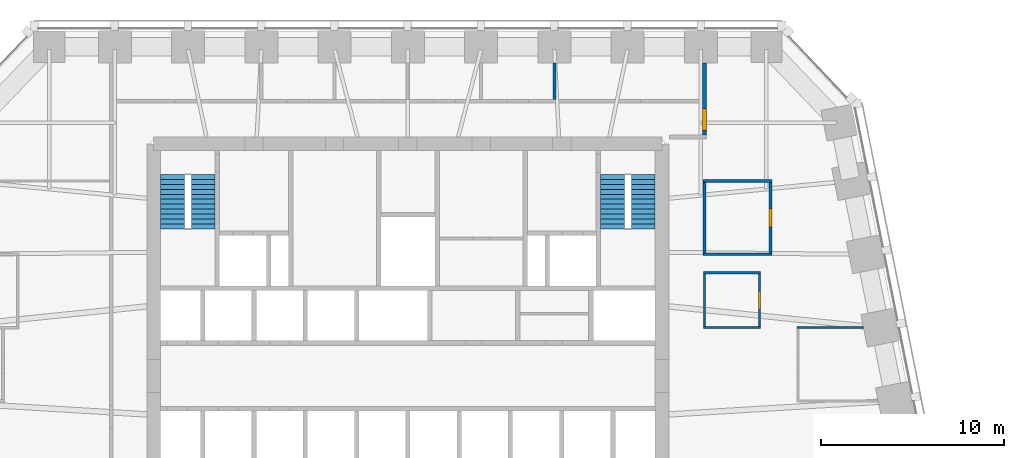
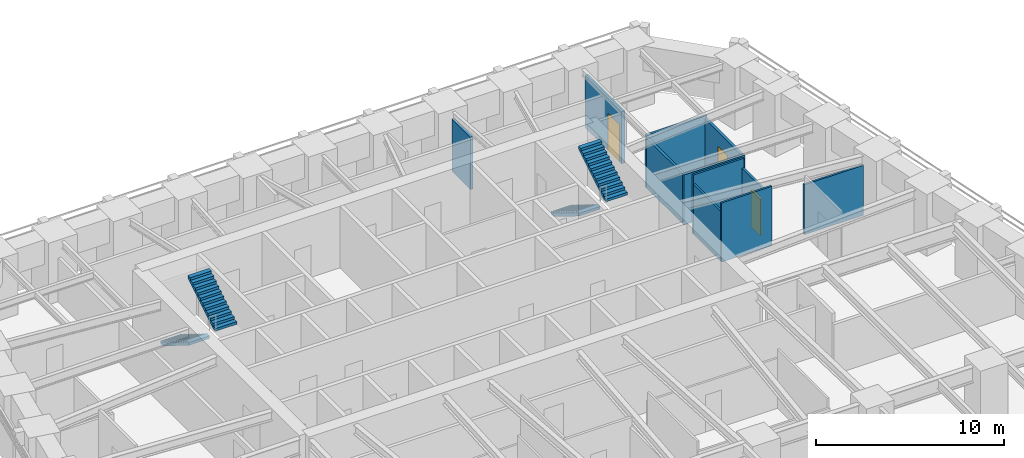
# One storey, part 8 of 10: 11 walls, 4 stair flights, 3 doors, 3 openings, 2 elements without a shape of their own.
"""IFC4 building model written with IfcOpenShell, lengths in metres."""

from ifc_helpers import new_model, si_unit, direction, frame, frame_2d, origin, place, context, subcontext, project, spatial, polyline, rectangle, outline, extrude, material, layer, layer_set, type_object, element, fill, aggregate, save


model = new_model("IFC4")

# Units and contexts
model_context = context("Model", 3, precision=1e-05, world=origin(), true_north=direction((0.0, 1.0)))
body_context = subcontext(model_context, "Body", "Model", "MODEL_VIEW")
ifc_project = project(units=[si_unit("LENGTHUNIT", "METRE"), si_unit("AREAUNIT", "SQUARE_METRE"), si_unit("VOLUMEUNIT", "CUBIC_METRE"), si_unit("PLANEANGLEUNIT", "RADIAN"), si_unit("MASSUNIT", "GRAM", prefix="KILO")], contexts=[model_context])

# Site, building, storey
site_placement = place(None, origin())
site = spatial("IfcSite", under=ifc_project, at=site_placement, CompositionType="ELEMENT")
building_placement = place(site_placement, origin())
building = spatial("IfcBuilding", under=site, at=building_placement, Name="Isbrekke Arena Tower", CompositionType="ELEMENT")
storey_placement = place(building_placement, frame((0.0, 0.0, 119.0)))
storey = spatial("IfcBuildingStorey", under=building, at=storey_placement, Name="L26", CompositionType="ELEMENT", Elevation=119.0)

# Walls
ifc_material_1 = material(Name="Gypsum board partition on steel studs", Category="steel")
ifc_layer_1 = layer(ifc_material_1, 0.14990234375)
ifc_layer_set_1 = layer_set([ifc_layer_1], Name="IW1 PARTITION 150")
wall_type_1 = type_object("IfcWallType", Name="IW1 PARTITION 150", PredefinedType="PARTITIONING", material=ifc_layer_set_1)
wall_1_placement = place(storey_placement, frame((16.125, 17.840087890625, 0.0), z_axis=(0.0, 0.0, 1.0), x_axis=(1.0, 0.0, 0.0)))
element("IfcWall", 1, at=wall_1_placement, inside=storey, type_object=wall_type_1, Name="IW1 partition 150 L26", PredefinedType="PARTITIONING", context=body_context, shape_type="SweptSolid", body=[
    extrude(rectangle(XDim=3.75, YDim=0.14990234375, at=frame_2d((1.875, 0.0))), origin(), (0.0, 0.0, 1.0), 3.25),
])
wall_2_placement = place(storey_placement, frame((16.125, 21.840087890625, 0.0), z_axis=(0.0, 0.0, 1.0), x_axis=(1.0, 0.0, 0.0)))
element("IfcWall", 2, at=wall_2_placement, inside=storey, type_object=wall_type_1, Name="IW1 partition 150 L26", PredefinedType="PARTITIONING", context=body_context, shape_type="SweptSolid", body=[
    extrude(rectangle(XDim=3.75, YDim=0.14990234375, at=frame_2d((1.875, 0.0))), origin(), (0.0, 0.0, 1.0), 3.39990234375),
])
wall_3_placement = place(storey_placement, frame((8.0, 26.300048828125, 0.0), z_axis=(0.0, 0.0, 1.0), x_axis=(0.0, 1.0, 0.0)))
element("IfcWall", 3, at=wall_3_placement, inside=storey, type_object=wall_type_1, Name="IW1 partition 150 L26", PredefinedType="PARTITIONING", context=body_context, shape_type="SweptSolid", body=[
    extrude(rectangle(XDim=1.974853515625, YDim=0.14990234375, at=frame_2d((0.9873046875, 0.0))), origin(), (0.0, 0.0, 1.0), 3.39990234375),
])
wall_4_placement = place(storey_placement, frame((16.199951171875, 17.9150390625, 0.0), z_axis=(0.0, 0.0, 1.0), x_axis=(0.0, 1.0, 0.0)))
element("IfcWall", 4, at=wall_4_placement, inside=storey, type_object=wall_type_1, Name="IW1 partition 150 L26", PredefinedType="PARTITIONING", context=body_context, shape_type="SweptSolid", body=[
    extrude(rectangle(XDim=3.849853515625, YDim=0.14990234375, at=frame_2d((1.9248046875, 0.0))), origin(), (0.0, 0.0, 1.0), 3.25),
])

# Wall, opening, door
wall_5_placement = place(storey_placement, frame((19.800048828125, 17.9150390625, 0.0), z_axis=(0.0, 0.0, 1.0), x_axis=(0.0, 1.0, 0.0)))
wall_5 = element("IfcWall", 5, at=wall_5_placement, inside=storey, type_object=wall_type_1, Name="IW1 partition 150 L26", PredefinedType="PARTITIONING", context=body_context, shape_type="SweptSolid", body=[
    extrude(rectangle(XDim=3.849853515625, YDim=0.14990234375, at=frame_2d((1.9248046875, 0.0))), origin(), (0.0, 0.0, 1.0), 3.25),
])
opening_1_placement = place(wall_5_placement, frame((1.425048828125, 0.0, 0.0)))
opening_1 = element("IfcOpeningElement", 6, at=opening_1_placement, cuts=wall_5, Name="Opening D10", PredefinedType="OPENING", context=body_context, shape_type="SweptSolid", body=[
    extrude(rectangle(XDim=1.0, YDim=2.300048828125, at=frame_2d((0.5, 1.14990234375))), frame((0.0, 0.08984375, 0.0), z_axis=(0.0, -1.0, 0.0), x_axis=(1.0, 0.0, 0.0)), (0.0, 0.0, 1.0), 0.1796875),
])
ifc_material_2 = material(Name="Timber door", Category="wood")
door_type_1 = type_object("IfcDoorType", Name="D10 OFFICE DOOR 1000 x 2300", OperationType="SINGLE_SWING_LEFT", PredefinedType="DOOR", material=ifc_material_2)
door_1_placement = place(opening_1_placement, origin())
door_1 = element("IfcDoor", 7, at=door_1_placement, inside=storey, type_object=door_type_1, Name="D10 pantry door L26", OperationType="SINGLE_SWING_LEFT", OverallHeight=2.300048828125, OverallWidth=1.0, PredefinedType="DOOR", context=body_context, shape_type="SweptSolid", body=[
    extrude(rectangle(XDim=1.0, YDim=2.300048828125, at=frame_2d((0.5, 1.14990234375))), frame((0.0, 0.07470703125, 0.0), z_axis=(0.0, -1.0, 0.0), x_axis=(1.0, 0.0, 0.0)), (0.0, 0.0, 1.0), 0.1494140625),
])
fill(opening_1, door_1)

# Walls
ifc_material_3 = material(Name="Frameless glazed partition, laminated acoustic glass", Category="glass")
ifc_layer_2 = layer(ifc_material_3, 0.1201171875)
ifc_layer_set_2 = layer_set([ifc_layer_2], Name="IW2 GLAZED PARTITION 120")
wall_type_2 = type_object("IfcWallType", Name="IW2 GLAZED PARTITION 120", PredefinedType="PARTITIONING", material=ifc_layer_set_2)
wall_6_placement = place(storey_placement, frame((16.139892578125, 13.840087890625, 0.0), z_axis=(0.0, 0.0, 1.0), x_axis=(1.0, 0.0, 0.0)))
element("IfcWall", 8, at=wall_6_placement, inside=storey, type_object=wall_type_2, Name="IW2 glazed partition 120 L26", PredefinedType="PARTITIONING", context=body_context, shape_type="SweptSolid", body=[
    extrude(rectangle(XDim=3.1201171875, YDim=0.1201171875, at=frame_2d((1.56005859375, 0.0))), origin(), (0.0, 0.0, 1.0), 3.85009765625),
])
wall_7_placement = place(storey_placement, frame((21.239990234375, 13.840087890625, 0.0), z_axis=(0.0, 0.0, 1.0), x_axis=(1.0, 0.0, 0.0)))
element("IfcWall", 9, at=wall_7_placement, inside=storey, type_object=wall_type_2, Name="IW2 glazed partition 120 L26", PredefinedType="PARTITIONING", context=body_context, shape_type="SweptSolid", body=[
    extrude(rectangle(XDim=3.6328125, YDim=0.1201171875, at=frame_2d((1.81640625, 0.0))), origin(), (0.0, 0.0, 1.0), 3.25),
])
wall_8_placement = place(storey_placement, frame((16.139892578125, 16.840087890625, 0.0), z_axis=(0.0, 0.0, 1.0), x_axis=(1.0, 0.0, 0.0)))
element("IfcWall", 10, at=wall_8_placement, inside=storey, type_object=wall_type_2, Name="IW2 glazed partition 120 L26", PredefinedType="PARTITIONING", context=body_context, shape_type="SweptSolid", body=[
    extrude(rectangle(XDim=3.1201171875, YDim=0.1201171875, at=frame_2d((1.56005859375, 0.0))), origin(), (0.0, 0.0, 1.0), 3.85009765625),
])
wall_9_placement = place(storey_placement, frame((16.199951171875, 13.89990234375, 0.0), z_axis=(0.0, 0.0, 1.0), x_axis=(0.0, 1.0, 0.0)))
element("IfcWall", 11, at=wall_9_placement, inside=storey, type_object=wall_type_2, Name="IW2 glazed partition 120 L26", PredefinedType="PARTITIONING", context=body_context, shape_type="SweptSolid", body=[
    extrude(rectangle(XDim=2.880126953125, YDim=0.1201171875, at=frame_2d((1.43994140625, 0.0))), origin(), (0.0, 0.0, 1.0), 3.25),
])

# Wall, opening, door
wall_10_placement = place(storey_placement, frame((19.199951171875, 13.89990234375, 0.0), z_axis=(0.0, 0.0, 1.0), x_axis=(0.0, 1.0, 0.0)))
wall_10 = element("IfcWall", 12, at=wall_10_placement, inside=storey, type_object=wall_type_2, Name="IW2 glazed partition 120 L26", PredefinedType="PARTITIONING", context=body_context, shape_type="SweptSolid", body=[
    extrude(rectangle(XDim=2.880126953125, YDim=0.1201171875, at=frame_2d((1.43994140625, 0.0))), origin(), (0.0, 0.0, 1.0), 3.25),
])
opening_2_placement = place(wall_10_placement, frame((0.93994140625, 0.0, 0.0)))
opening_2 = element("IfcOpeningElement", 13, at=opening_2_placement, cuts=wall_10, Name="Opening D11", PredefinedType="OPENING", context=body_context, shape_type="SweptSolid", body=[
    extrude(rectangle(XDim=1.0, YDim=2.39990234375, at=frame_2d((0.5, 1.199951171875))), frame((0.0, 0.074951171875, 0.0), z_axis=(0.0, -1.0, 0.0), x_axis=(1.0, 0.0, 0.0)), (0.0, 0.0, 1.0), 0.14990234375),
])
ifc_material_4 = material(Name="Frameless glazed door", Category="glass")
door_type_2 = type_object("IfcDoorType", Name="D11 GLAZED MEETING ROOM DOOR 1000 x 2400", OperationType="SINGLE_SWING_RIGHT", PredefinedType="DOOR", material=ifc_material_4)
door_2_placement = place(opening_2_placement, origin())
door_2 = element("IfcDoor", 14, at=door_2_placement, inside=storey, type_object=door_type_2, Name="D11 quiet room door L26", OperationType="SINGLE_SWING_RIGHT", OverallHeight=2.39990234375, OverallWidth=1.0, PredefinedType="DOOR", context=body_context, shape_type="SweptSolid", body=[
    extrude(rectangle(XDim=1.0, YDim=2.39990234375, at=frame_2d((0.5, 1.199951171875))), frame((0.0, 0.059814453125, 0.0), z_axis=(0.0, -1.0, 0.0), x_axis=(1.0, 0.0, 0.0)), (0.0, 0.0, 1.0), 0.11962890625),
])
fill(opening_2, door_2)

ifc_material_5 = material(Name="Gypsum board fire-cell wall on steel studs, two layers each side", Category="steel")
ifc_layer_3 = layer(ifc_material_5, 0.199951171875)
ifc_layer_set_3 = layer_set([ifc_layer_3], Name="IW3 FIRE-CELL WALL 200")
wall_type_3 = type_object("IfcWallType", Name="IW3 FIRE-CELL WALL 200", PredefinedType="PARTITIONING", material=ifc_layer_set_3)
wall_11_placement = place(storey_placement, frame((16.199951171875, 24.35009765625, 0.0), z_axis=(0.0, 0.0, 1.0), x_axis=(0.0, 1.0, 0.0)))
wall_11 = element("IfcWall", 15, at=wall_11_placement, inside=storey, type_object=wall_type_3, Name="IW3 fire-cell wall 200 L26", PredefinedType="PARTITIONING", context=body_context, shape_type="SweptSolid", body=[
    extrude(rectangle(XDim=3.9248046875, YDim=0.199951171875, at=frame_2d((1.96240234375, 0.0))), origin(), (0.0, 0.0, 1.0), 3.39990234375),
])
opening_3_placement = place(wall_11_placement, frame((0.25, 0.0, 0.0)))
opening_3 = element("IfcOpeningElement", 16, at=opening_3_placement, cuts=wall_11, Name="Opening D12", PredefinedType="OPENING", context=body_context, shape_type="SweptSolid", body=[
    extrude(rectangle(XDim=1.199951171875, YDim=2.39990234375, at=frame_2d((0.60009765625, 1.199951171875))), frame((0.0, 0.11474609375, 0.0), z_axis=(0.0, -1.0, 0.0), x_axis=(1.0, 0.0, 0.0)), (0.0, 0.0, 1.0), 0.229736328125),
])
ifc_material_6 = material(Name="Timber fire door with vision panel", Category="wood")
door_type_3 = type_object("IfcDoorType", Name="D12 SUITE ENTRANCE DOOR 1200 x 2400", OperationType="SINGLE_SWING_LEFT", PredefinedType="DOOR", material=ifc_material_6)
door_3_placement = place(opening_3_placement, origin())
door_3 = element("IfcDoor", 17, at=door_3_placement, inside=storey, type_object=door_type_3, Name="D12 suite entrance E door L26", OperationType="SINGLE_SWING_LEFT", OverallHeight=2.39990234375, OverallWidth=1.199951171875, PredefinedType="DOOR", context=body_context, shape_type="SweptSolid", body=[
    extrude(rectangle(XDim=1.199951171875, YDim=2.39990234375, at=frame_2d((0.60009765625, 1.199951171875))), frame((0.0, 0.099609375, 0.0), z_axis=(0.0, -1.0, 0.0), x_axis=(1.0, 0.0, 0.0)), (0.0, 0.0, 1.0), 0.199462890625),
])
fill(opening_3, door_3)

# Stair, stair flights
ifc_material_7 = material(Name="Concrete B45 (C45/55) precast", Category="concrete")
stair_type = type_object("IfcStairType", Name="ST40 STAIR 1300 WIDE, 24 RISERS 167", PredefinedType="HALF_TURN_STAIR", material=ifc_material_7)
stair_1_placement = place(storey_placement, origin())
stair_1 = element("IfcStair", 18, at=stair_1_placement, inside=storey, type_object=stair_type, Name="ST1 stair L26", PredefinedType="HALF_TURN_STAIR")
ifc_material_8 = material(Name="Concrete B45 (C45/55) precast", Category="concrete")
stair_flight_type = type_object("IfcStairFlightType", Name="SF 1300 FLIGHT", PredefinedType="STRAIGHT", material=ifc_material_8)
stair_flight_1_placement = place(storey_placement, frame((-12.85009765625, 22.199951171875, 0.0), z_axis=(0.0, 0.0, 1.0), x_axis=(0.0, -1.0, 0.0)))
stair_flight_1 = element("IfcStairFlight", 19, at=stair_flight_1_placement, type_object=stair_flight_type, Name="ST1 flight 1", NumberOfRisers=12, NumberOfTreads=11, PredefinedType="STRAIGHT", RiserHeight=0.166666667, TreadLength=0.27, context=body_context, shape_type="SweptSolid", body=[
    extrude(outline(polyline([(0.0, 0.0), (0.0, 0.166748046875), (0.27001953125, 0.166748046875), (0.27001953125, 0.333251953125), (0.5400390625, 0.333251953125), (0.5400390625, 0.5), (0.81005859375, 0.5), (0.81005859375, 0.666748046875), (1.080078125, 0.666748046875), (1.080078125, 0.833251953125), (1.35009765625, 0.833251953125), (1.35009765625, 1.0), (1.6201171875, 1.0), (1.6201171875, 1.166748046875), (1.889892578125, 1.166748046875), (1.889892578125, 1.333251953125), (2.159912109375, 1.333251953125), (2.159912109375, 1.5), (2.429931640625, 1.5), (2.429931640625, 1.666748046875), (2.699951171875, 1.666748046875), (2.699951171875, 1.833251953125), (2.969970703125, 1.833251953125), (2.969970703125, 2.0), (2.969970703125, 1.6572265625), (0.285400390625, 0.0), (0.0, 0.0)])), frame((0.0, 0.64990234375, 0.0), z_axis=(0.0, -1.0, 0.0), x_axis=(1.0, 0.0, 0.0)), (0.0, 0.0, 1.0), 1.300048828125),
])
stair_flight_2_placement = place(storey_placement, frame((-11.175048828125, 19.22998046875, 2.0), z_axis=(0.0, 0.0, 1.0), x_axis=(0.0, 1.0, 0.0)))
stair_flight_2 = element("IfcStairFlight", 20, at=stair_flight_2_placement, type_object=stair_flight_type, Name="ST1 flight 2", NumberOfRisers=12, NumberOfTreads=11, PredefinedType="STRAIGHT", RiserHeight=0.166666667, TreadLength=0.27, context=body_context, shape_type="SweptSolid", body=[
    extrude(outline(polyline([(0.0, 0.0), (0.0, 0.166748046875), (0.27001953125, 0.166748046875), (0.27001953125, 0.333251953125), (0.5400390625, 0.333251953125), (0.5400390625, 0.5), (0.81005859375, 0.5), (0.81005859375, 0.666748046875), (1.080078125, 0.666748046875), (1.080078125, 0.833251953125), (1.35009765625, 0.833251953125), (1.35009765625, 1.0), (1.6201171875, 1.0), (1.6201171875, 1.166748046875), (1.889892578125, 1.166748046875), (1.889892578125, 1.333251953125), (2.159912109375, 1.333251953125), (2.159912109375, 1.5), (2.429931640625, 1.5), (2.429931640625, 1.666748046875), (2.699951171875, 1.666748046875), (2.699951171875, 1.833251953125), (2.969970703125, 1.833251953125), (2.969970703125, 2.0), (2.969970703125, 1.6572265625), (0.285400390625, 0.0), (0.0, 0.0)])), frame((0.0, 0.64990234375, 0.0), z_axis=(0.0, -1.0, 0.0), x_axis=(1.0, 0.0, 0.0)), (0.0, 0.0, 1.0), 1.300048828125),
])
aggregate(stair_1, [stair_flight_1, stair_flight_2])

stair_2_placement = place(storey_placement, origin())
stair_2 = element("IfcStair", 21, at=stair_2_placement, inside=storey, type_object=stair_type, Name="ST2 stair L26", PredefinedType="HALF_TURN_STAIR")
stair_flight_3_placement = place(storey_placement, frame((11.175048828125, 22.199951171875, 0.0), z_axis=(0.0, 0.0, 1.0), x_axis=(0.0, -1.0, 0.0)))
stair_flight_3 = element("IfcStairFlight", 22, at=stair_flight_3_placement, type_object=stair_flight_type, Name="ST2 flight 1", NumberOfRisers=12, NumberOfTreads=11, PredefinedType="STRAIGHT", RiserHeight=0.166666667, TreadLength=0.27, context=body_context, shape_type="SweptSolid", body=[
    extrude(outline(polyline([(0.0, 0.0), (0.0, 0.166748046875), (0.27001953125, 0.166748046875), (0.27001953125, 0.333251953125), (0.5400390625, 0.333251953125), (0.5400390625, 0.5), (0.81005859375, 0.5), (0.81005859375, 0.666748046875), (1.080078125, 0.666748046875), (1.080078125, 0.833251953125), (1.35009765625, 0.833251953125), (1.35009765625, 1.0), (1.6201171875, 1.0), (1.6201171875, 1.166748046875), (1.889892578125, 1.166748046875), (1.889892578125, 1.333251953125), (2.159912109375, 1.333251953125), (2.159912109375, 1.5), (2.429931640625, 1.5), (2.429931640625, 1.666748046875), (2.699951171875, 1.666748046875), (2.699951171875, 1.833251953125), (2.969970703125, 1.833251953125), (2.969970703125, 2.0), (2.969970703125, 1.6572265625), (0.285400390625, 0.0), (0.0, 0.0)])), frame((0.0, 0.64990234375, 0.0), z_axis=(0.0, -1.0, 0.0), x_axis=(1.0, 0.0, 0.0)), (0.0, 0.0, 1.0), 1.300048828125),
])
stair_flight_4_placement = place(storey_placement, frame((12.85009765625, 19.22998046875, 2.0), z_axis=(0.0, 0.0, 1.0), x_axis=(0.0, 1.0, 0.0)))
stair_flight_4 = element("IfcStairFlight", 23, at=stair_flight_4_placement, type_object=stair_flight_type, Name="ST2 flight 2", NumberOfRisers=12, NumberOfTreads=11, PredefinedType="STRAIGHT", RiserHeight=0.166666667, TreadLength=0.27, context=body_context, shape_type="SweptSolid", body=[
    extrude(outline(polyline([(0.0, 0.0), (0.0, 0.166748046875), (0.27001953125, 0.166748046875), (0.27001953125, 0.333251953125), (0.5400390625, 0.333251953125), (0.5400390625, 0.5), (0.81005859375, 0.5), (0.81005859375, 0.666748046875), (1.080078125, 0.666748046875), (1.080078125, 0.833251953125), (1.35009765625, 0.833251953125), (1.35009765625, 1.0), (1.6201171875, 1.0), (1.6201171875, 1.166748046875), (1.889892578125, 1.166748046875), (1.889892578125, 1.333251953125), (2.159912109375, 1.333251953125), (2.159912109375, 1.5), (2.429931640625, 1.5), (2.429931640625, 1.666748046875), (2.699951171875, 1.666748046875), (2.699951171875, 1.833251953125), (2.969970703125, 1.833251953125), (2.969970703125, 2.0), (2.969970703125, 1.6572265625), (0.285400390625, 0.0), (0.0, 0.0)])), frame((0.0, 0.64990234375, 0.0), z_axis=(0.0, -1.0, 0.0), x_axis=(1.0, 0.0, 0.0)), (0.0, 0.0, 1.0), 1.300048828125),
])
aggregate(stair_2, [stair_flight_3, stair_flight_4])

save(model, "model.ifc")
